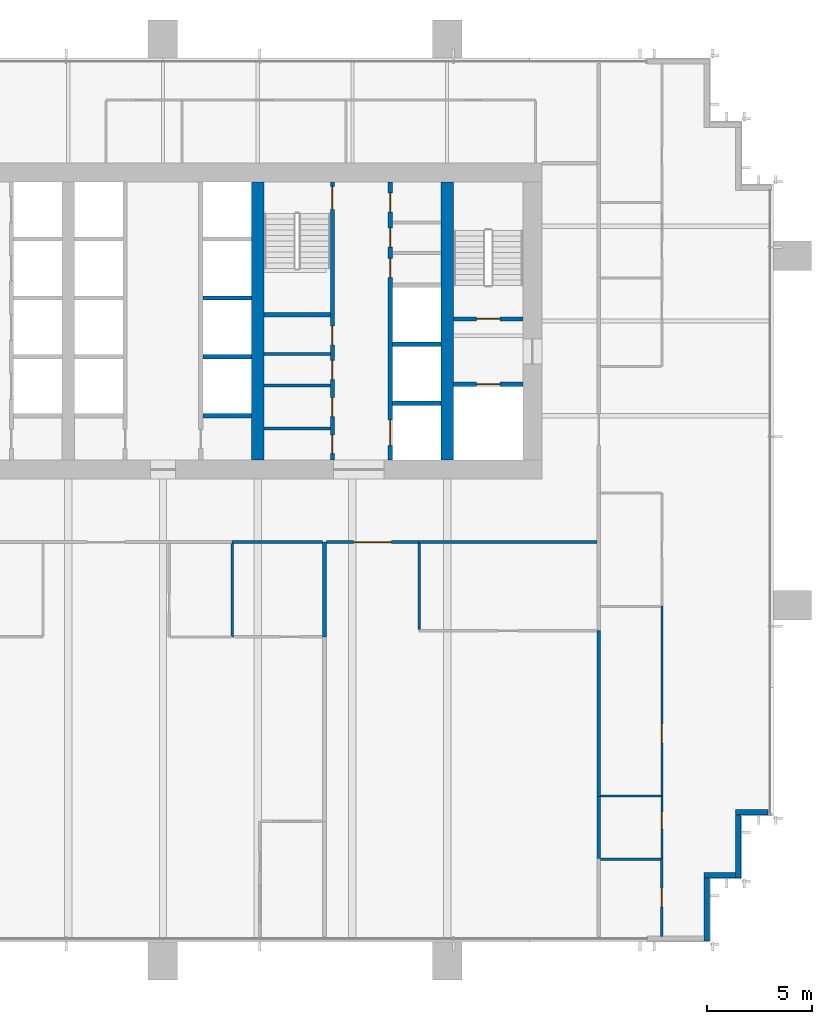
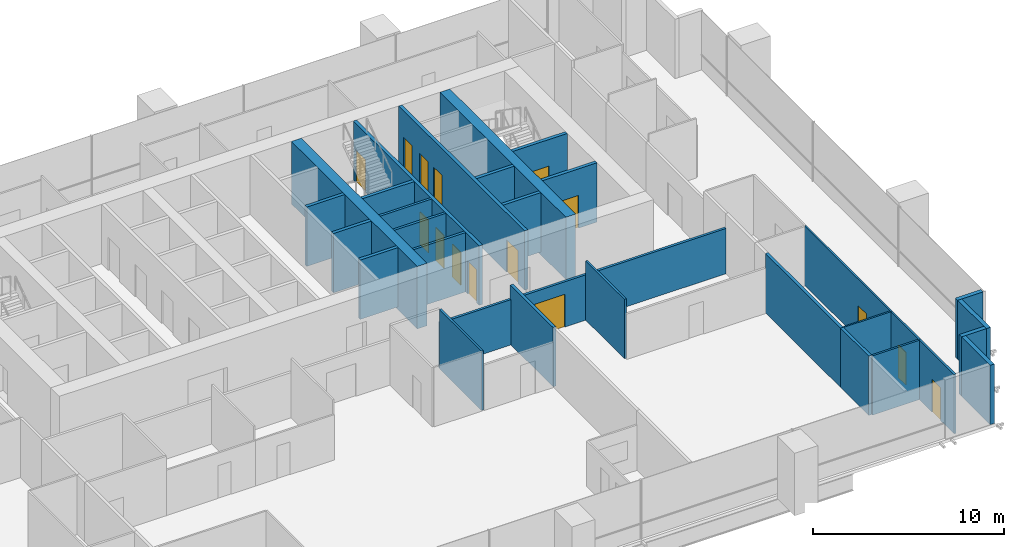
# One storey, part 12 of 16: 32 walls, 15 doors, 15 openings.
"""IFC4 building model written with IfcOpenShell, lengths in metres."""

from ifc_helpers import new_model, si_unit, direction, frame, frame_2d, origin, place, context, subcontext, project, spatial, rectangle, extrude, material, layer, layer_set, type_object, element, fill, save


model = new_model("IFC4")

# Units and contexts
model_context = context("Model", 3, precision=1e-05, world=origin(), true_north=direction((0.0, 1.0)))
body_context = subcontext(model_context, "Body", "Model", "MODEL_VIEW")
ifc_project = project(units=[si_unit("LENGTHUNIT", "METRE"), si_unit("AREAUNIT", "SQUARE_METRE"), si_unit("VOLUMEUNIT", "CUBIC_METRE"), si_unit("PLANEANGLEUNIT", "RADIAN"), si_unit("MASSUNIT", "GRAM", prefix="KILO")], contexts=[model_context])

# Site, building, storey
site_placement = place(None, origin())
site = spatial("IfcSite", under=ifc_project, at=site_placement, CompositionType="ELEMENT")
building_placement = place(site_placement, origin())
building = spatial("IfcBuilding", under=site, at=building_placement, Name="Rattan Terrace Tower", CompositionType="ELEMENT")
storey_placement = place(building_placement, frame((0.0, 0.0, 130.10009765625)))
storey = spatial("IfcBuildingStorey", under=building, at=storey_placement, Name="L29", CompositionType="ELEMENT", Elevation=130.10009765625)

# Walls
ifc_material_1 = material(Name="Gypsum board partition")
ifc_layer_1 = layer(ifc_material_1, 0.14990234375)
ifc_layer_set_1 = layer_set([ifc_layer_1], Name="Core partition 150")
wall_type_1 = type_object("IfcWallType", Name="Core partition 150", PredefinedType="PARTITIONING", material=ifc_layer_set_1)
for number, where, z_axis, x_axis, name in (
    (1, (4.800048828125, -5.10400390625, 0.0), (0.0, 0.0, 1.0), (1.0, 0.0, 0.0), "Toilet wall"),
    (2, (4.800048828125, -3.06396484375, 0.0), (0.0, 0.0, 1.0), (1.0, 0.0, 0.0), "Toilet wall"),
    (3, (4.800048828125, -1.568115234375, 0.0), (0.0, 0.0, 1.0), (1.0, 0.0, 0.0), "Toilet wall"),
):
    element("IfcWall", number, at=place(storey_placement, frame(where, z_axis=z_axis, x_axis=x_axis)), inside=storey, type_object=wall_type_1, Name=name, PredefinedType="PARTITIONING", context=body_context, shape_type="SweptSolid", body=[
        extrude(rectangle(XDim=3.14990234375, YDim=0.14990234375, at=frame_2d((1.574951171875, 0.0))), origin(), (0.0, 0.0, 1.0), 3.7998046875),
    ])

# Wall, opening, door
ifc_material_2 = material(Name="Gypsum board partition")
ifc_layer_2 = layer(ifc_material_2, 0.199951171875)
ifc_layer_set_2 = layer_set([ifc_layer_2], Name="Core partition 200")
wall_type_2 = type_object("IfcWallType", Name="Core partition 200", PredefinedType="PARTITIONING", material=ifc_layer_set_2)
wall_1_placement = place(storey_placement, frame((13.800048828125, -3.0, 0.0), z_axis=(0.0, 0.0, 1.0), x_axis=(1.0, 0.0, 0.0)))
wall_1 = element("IfcWall", 4, at=wall_1_placement, inside=storey, type_object=wall_type_2, Name="Fire-fighting lobby wall", PredefinedType="PARTITIONING", context=body_context, shape_type="SweptSolid", body=[
    extrude(rectangle(XDim=3.300048828125, YDim=0.199951171875, at=frame_2d((1.64990234375, 0.0))), origin(), (0.0, 0.0, 1.0), 3.7998046875),
])
opening_1_placement = place(wall_1_placement, frame((1.10009765625, 0.0, 0.0)))
opening_1 = element("IfcOpeningElement", 5, at=opening_1_placement, cuts=wall_1, Name="Opening L29-LD-FF2", PredefinedType="OPENING", context=body_context, shape_type="SweptSolid", body=[
    extrude(rectangle(XDim=1.10009765625, YDim=2.10009765625, at=frame_2d((0.550048828125, 1.050048828125))), frame((0.0, 0.110595703125, 0.0), z_axis=(0.0, -1.0, 0.0), x_axis=(1.0, 0.0, 0.0)), (0.0, 0.0, 1.0), 0.220947265625),
])
ifc_material_3 = material(Name="Brushed stainless landing door panel")
door_type_1 = type_object("IfcDoorType", Name="Core lift landing door 1100", OperationType="DOUBLE_DOOR_SLIDING", PredefinedType="DOOR", material=ifc_material_3)
door_1_placement = place(opening_1_placement, origin())
door_1 = element("IfcDoor", 6, at=door_1_placement, inside=storey, type_object=door_type_1, Name="Door L29-LD-FF2", OperationType="DOUBLE_DOOR_SLIDING", OverallHeight=2.10009765625, OverallWidth=1.10009765625, PredefinedType="DOOR", context=body_context, shape_type="SweptSolid", body=[
    extrude(rectangle(XDim=1.10009765625, YDim=2.10009765625, at=frame_2d((0.550048828125, 1.050048828125))), frame((0.0, 0.02490234375, 0.0), z_axis=(0.0, -1.0, 0.0), x_axis=(1.0, 0.0, 0.0)), (0.0, 0.0, 1.0), 0.050048828125),
])
fill(opening_1, door_1)

wall_2_placement = place(storey_placement, frame((13.800048828125, 0.10009765625, 0.0), z_axis=(0.0, 0.0, 1.0), x_axis=(1.0, 0.0, 0.0)))
wall_2 = element("IfcWall", 7, at=wall_2_placement, inside=storey, type_object=wall_type_2, Name="Stair enclosure wall", PredefinedType="PARTITIONING", context=body_context, shape_type="SweptSolid", body=[
    extrude(rectangle(XDim=3.300048828125, YDim=0.199951171875, at=frame_2d((1.64990234375, 0.0))), origin(), (0.0, 0.0, 1.0), 3.7998046875),
])
opening_2_placement = place(wall_2_placement, frame((1.10009765625, 0.0, 0.0)))
opening_2 = element("IfcOpeningElement", 8, at=opening_2_placement, cuts=wall_2, Name="Opening L29-D004", PredefinedType="OPENING", context=body_context, shape_type="SweptSolid", body=[
    extrude(rectangle(XDim=1.10009765625, YDim=2.10009765625, at=frame_2d((0.550048828125, 1.050048828125))), frame((0.0, 0.110595703125, 0.0), z_axis=(0.0, -1.0, 0.0), x_axis=(1.0, 0.0, 0.0)), (0.0, 0.0, 1.0), 0.220947265625),
])
ifc_material_4 = material(Name="Hollow-metal fire door leaf")
door_type_2 = type_object("IfcDoorType", Name="Core stair door 1100", OperationType="NOTDEFINED", PredefinedType="DOOR", material=ifc_material_4)
door_2_placement = place(opening_2_placement, origin())
door_2 = element("IfcDoor", 9, at=door_2_placement, inside=storey, type_object=door_type_2, Name="Door L29-D004", OperationType="SINGLE_SWING_LEFT", OverallHeight=2.10009765625, OverallWidth=1.10009765625, PredefinedType="DOOR", context=body_context, shape_type="SweptSolid", body=[
    extrude(rectangle(XDim=1.10009765625, YDim=2.10009765625, at=frame_2d((0.550048828125, 1.050048828125))), frame((0.0, 0.02490234375, 0.0), z_axis=(0.0, -1.0, 0.0), x_axis=(1.0, 0.0, 0.0)), (0.0, 0.0, 1.0), 0.050048828125),
])
fill(opening_2, door_2)

# Wall, openings, doors
wall_3_placement = place(storey_placement, frame((8.050048828125, -6.60009765625, 0.0), z_axis=(0.0, 0.0, 1.0), x_axis=(0.0, 1.0, 0.0)))
wall_3 = element("IfcWall", 10, at=wall_3_placement, inside=storey, type_object=wall_type_2, Name="Lobby wall west", PredefinedType="PARTITIONING", context=body_context, shape_type="SweptSolid", body=[
    extrude(rectangle(XDim=13.2001953125, YDim=0.199951171875, at=frame_2d((6.60009765625, 0.0))), origin(), (0.0, 0.0, 1.0), 3.7998046875),
])
opening_3_placement = place(wall_3_placement, frame((0.298095703125, 0.0, 0.0)))
opening_3 = element("IfcOpeningElement", 11, at=opening_3_placement, cuts=wall_3, Name="Opening L29-D011", PredefinedType="OPENING", context=body_context, shape_type="SweptSolid", body=[
    extrude(rectangle(XDim=0.89990234375, YDim=2.10009765625, at=frame_2d((0.449951171875, 1.050048828125))), frame((0.0, 0.110595703125, 0.0), z_axis=(0.0, -1.0, 0.0), x_axis=(1.0, 0.0, 0.0)), (0.0, 0.0, 1.0), 0.220947265625),
])
opening_4_placement = place(wall_3_placement, frame((2.06591796875, 0.0, 0.0)))
opening_4 = element("IfcOpeningElement", 12, at=opening_4_placement, cuts=wall_3, Name="Opening L29-D012", PredefinedType="OPENING", context=body_context, shape_type="SweptSolid", body=[
    extrude(rectangle(XDim=0.89990234375, YDim=2.10009765625, at=frame_2d((0.449951171875, 1.050048828125))), frame((0.0, 0.110595703125, 0.0), z_axis=(0.0, -1.0, 0.0), x_axis=(1.0, 0.0, 0.0)), (0.0, 0.0, 1.0), 0.220947265625),
])
opening_5_placement = place(wall_3_placement, frame((3.833984375, 0.0, 0.0)))
opening_5 = element("IfcOpeningElement", 13, at=opening_5_placement, cuts=wall_3, Name="Opening L29-D013", PredefinedType="OPENING", context=body_context, shape_type="SweptSolid", body=[
    extrude(rectangle(XDim=0.89990234375, YDim=2.10009765625, at=frame_2d((0.449951171875, 1.050048828125))), frame((0.0, 0.110595703125, 0.0), z_axis=(0.0, -1.0, 0.0), x_axis=(1.0, 0.0, 0.0)), (0.0, 0.0, 1.0), 0.220947265625),
])
opening_6_placement = place(wall_3_placement, frame((5.466064453125, 0.0, 0.0)))
opening_6 = element("IfcOpeningElement", 14, at=opening_6_placement, cuts=wall_3, Name="Opening L29-D014", PredefinedType="OPENING", context=body_context, shape_type="SweptSolid", body=[
    extrude(rectangle(XDim=0.89990234375, YDim=2.10009765625, at=frame_2d((0.449951171875, 1.050048828125))), frame((0.0, 0.110595703125, 0.0), z_axis=(0.0, -1.0, 0.0), x_axis=(1.0, 0.0, 0.0)), (0.0, 0.0, 1.0), 0.220947265625),
])
opening_7_placement = place(wall_3_placement, frame((11.89990234375, 0.0, 0.0)))
opening_7 = element("IfcOpeningElement", 15, at=opening_7_placement, cuts=wall_3, Name="Opening L29-D015", PredefinedType="OPENING", context=body_context, shape_type="SweptSolid", body=[
    extrude(rectangle(XDim=1.10009765625, YDim=2.10009765625, at=frame_2d((0.550048828125, 1.050048828125))), frame((0.0, 0.110595703125, 0.0), z_axis=(0.0, -1.0, 0.0), x_axis=(1.0, 0.0, 0.0)), (0.0, 0.0, 1.0), 0.220947265625),
])
ifc_material_5 = material(Name="Hollow-metal fire door leaf")
door_type_3 = type_object("IfcDoorType", Name="Core service room door 900", OperationType="NOTDEFINED", PredefinedType="DOOR", material=ifc_material_5)
door_3_placement = place(opening_6_placement, origin())
door_3 = element("IfcDoor", 16, at=door_3_placement, inside=storey, type_object=door_type_3, Name="Door L29-D014", OperationType="SINGLE_SWING_RIGHT", OverallHeight=2.10009765625, OverallWidth=0.89990234375, PredefinedType="DOOR", context=body_context, shape_type="SweptSolid", body=[
    extrude(rectangle(XDim=0.89990234375, YDim=2.10009765625, at=frame_2d((0.449951171875, 1.050048828125))), frame((0.0, 0.02490234375, 0.0), z_axis=(0.0, -1.0, 0.0), x_axis=(1.0, 0.0, 0.0)), (0.0, 0.0, 1.0), 0.050048828125),
])
fill(opening_6, door_3)
door_4_placement = place(opening_7_placement, origin())
door_4 = element("IfcDoor", 17, at=door_4_placement, inside=storey, type_object=door_type_2, Name="Door L29-D015", OperationType="SINGLE_SWING_LEFT", OverallHeight=2.10009765625, OverallWidth=1.10009765625, PredefinedType="DOOR", context=body_context, shape_type="SweptSolid", body=[
    extrude(rectangle(XDim=1.10009765625, YDim=2.10009765625, at=frame_2d((0.550048828125, 1.050048828125))), frame((0.0, 0.02490234375, 0.0), z_axis=(0.0, -1.0, 0.0), x_axis=(1.0, 0.0, 0.0)), (0.0, 0.0, 1.0), 0.050048828125),
])
fill(opening_7, door_4)
ifc_material_6 = material(Name="Hollow-metal fire door leaf")
door_type_4 = type_object("IfcDoorType", Name="Core toilet door 900", OperationType="NOTDEFINED", PredefinedType="DOOR", material=ifc_material_6)
door_5_placement = place(opening_3_placement, origin())
door_5 = element("IfcDoor", 18, at=door_5_placement, inside=storey, type_object=door_type_4, Name="Door L29-D011", OperationType="SINGLE_SWING_LEFT", OverallHeight=2.10009765625, OverallWidth=0.89990234375, PredefinedType="DOOR", context=body_context, shape_type="SweptSolid", body=[
    extrude(rectangle(XDim=0.89990234375, YDim=2.10009765625, at=frame_2d((0.449951171875, 1.050048828125))), frame((0.0, 0.02490234375, 0.0), z_axis=(0.0, -1.0, 0.0), x_axis=(1.0, 0.0, 0.0)), (0.0, 0.0, 1.0), 0.050048828125),
])
fill(opening_3, door_5)
door_6_placement = place(opening_4_placement, origin())
door_6 = element("IfcDoor", 19, at=door_6_placement, inside=storey, type_object=door_type_4, Name="Door L29-D012", OperationType="SINGLE_SWING_RIGHT", OverallHeight=2.10009765625, OverallWidth=0.89990234375, PredefinedType="DOOR", context=body_context, shape_type="SweptSolid", body=[
    extrude(rectangle(XDim=0.89990234375, YDim=2.10009765625, at=frame_2d((0.449951171875, 1.050048828125))), frame((0.0, 0.02490234375, 0.0), z_axis=(0.0, -1.0, 0.0), x_axis=(1.0, 0.0, 0.0)), (0.0, 0.0, 1.0), 0.050048828125),
])
fill(opening_4, door_6)
door_7_placement = place(opening_5_placement, origin())
door_7 = element("IfcDoor", 20, at=door_7_placement, inside=storey, type_object=door_type_4, Name="Door L29-D013", OperationType="SINGLE_SWING_LEFT", OverallHeight=2.10009765625, OverallWidth=0.89990234375, PredefinedType="DOOR", context=body_context, shape_type="SweptSolid", body=[
    extrude(rectangle(XDim=0.89990234375, YDim=2.10009765625, at=frame_2d((0.449951171875, 1.050048828125))), frame((0.0, 0.02490234375, 0.0), z_axis=(0.0, -1.0, 0.0), x_axis=(1.0, 0.0, 0.0)), (0.0, 0.0, 1.0), 0.050048828125),
])
fill(opening_5, door_7)

# Walls
wall_4_placement = place(storey_placement, frame((4.800048828125, 0.300048828125, 0.0), z_axis=(0.0, 0.0, 1.0), x_axis=(1.0, 0.0, 0.0)))
element("IfcWall", 21, at=wall_4_placement, inside=storey, type_object=wall_type_2, Name="Stair enclosure wall", PredefinedType="PARTITIONING", context=body_context, shape_type="SweptSolid", body=[
    extrude(rectangle(XDim=3.14990234375, YDim=0.199951171875, at=frame_2d((1.574951171875, 0.0))), origin(), (0.0, 0.0, 1.0), 3.7998046875),
])
ifc_material_7 = material(Name="Concrete C60/75", Category="concrete")
ifc_layer_3 = layer(ifc_material_7, 0.60009765625)
ifc_layer_set_3 = layer_set([ifc_layer_3], Name="Core spine wall 600 C60/75")
wall_type_3 = type_object("IfcWallType", Name="Core spine wall 600 C60/75", PredefinedType="SHEAR", material=ifc_layer_set_3)
for number, where, z_axis, x_axis, name in (
    (22, (4.5, -6.60009765625, -0.2001953125), (0.0, 0.0, 1.0), (0.0, 1.0, 0.0), "Core spine wall 3"),
    (23, (13.5, -6.60009765625, -0.2001953125), (0.0, 0.0, 1.0), (0.0, 1.0, 0.0), "Core spine wall 4"),
):
    element("IfcWall", number, at=place(storey_placement, frame(where, z_axis=z_axis, x_axis=x_axis)), inside=storey, type_object=wall_type_3, Name=name, PredefinedType="SHEAR", context=body_context, shape_type="SweptSolid", body=[
        extrude(rectangle(XDim=13.2001953125, YDim=0.60009765625, at=frame_2d((6.60009765625, 0.0))), origin(), (0.0, 0.0, 1.0), 4.0),
    ])
ifc_material_8 = material(Name="Insulated aluminium-clad stud wall", Category="aluminium")
ifc_layer_4 = layer(ifc_material_8, 0.25)
ifc_layer_set_4 = layer_set([ifc_layer_4], Name="Facade Riser Wall 250")
wall_type_4 = type_object("IfcWallType", Name="Facade Riser Wall 250", PredefinedType="SOLIDWALL", material=ifc_layer_set_4)
wall_5_placement = place(storey_placement, frame((25.830078125, -29.455078125, 0.0), z_axis=(0.0, 0.0, 1.0), x_axis=(0.0, 1.0, 0.0)))
element("IfcWall", 24, at=wall_5_placement, inside=storey, type_object=wall_type_4, Name="Riser wall L29-2", PredefinedType="SOLIDWALL", context=body_context, shape_type="SweptSolid", body=[
    extrude(rectangle(XDim=3.0, YDim=0.25, at=frame_2d((1.5, 0.0))), origin(), (0.0, 0.0, 1.0), 3.7998046875),
])
wall_6_placement = place(storey_placement, frame((25.705078125, -26.330078125, 0.0), z_axis=(0.0, 0.0, 1.0), x_axis=(1.0, 0.0, 0.0)))
element("IfcWall", 25, at=wall_6_placement, inside=storey, type_object=wall_type_4, Name="Riser wall L29-3", PredefinedType="SOLIDWALL", context=body_context, shape_type="SweptSolid", body=[
    extrude(rectangle(XDim=1.5, YDim=0.25, at=frame_2d((0.75, 0.0))), origin(), (0.0, 0.0, 1.0), 3.7998046875),
])
wall_7_placement = place(storey_placement, frame((27.330078125, -26.455078125, 0.0), z_axis=(0.0, 0.0, 1.0), x_axis=(0.0, 1.0, 0.0)))
element("IfcWall", 26, at=wall_7_placement, inside=storey, type_object=wall_type_4, Name="Riser wall L29-4", PredefinedType="SOLIDWALL", context=body_context, shape_type="SweptSolid", body=[
    extrude(rectangle(XDim=3.0, YDim=0.25, at=frame_2d((1.5, 0.0))), origin(), (0.0, 0.0, 1.0), 3.7998046875),
])
wall_8_placement = place(storey_placement, frame((27.205078125, -23.330078125, 0.0), z_axis=(0.0, 0.0, 1.0), x_axis=(1.0, 0.0, 0.0)))
element("IfcWall", 27, at=wall_8_placement, inside=storey, type_object=wall_type_4, Name="Riser wall L29-5", PredefinedType="SOLIDWALL", context=body_context, shape_type="SweptSolid", body=[
    extrude(rectangle(XDim=1.544921875, YDim=0.25, at=frame_2d((0.7724609375, 0.0))), origin(), (0.0, 0.0, 1.0), 3.7998046875),
])
ifc_material_9 = material(Name="Double steel stud acoustic partition, gypsum board, mineral wool, fire rated", Category="steel")
ifc_layer_5 = layer(ifc_material_9, 0.179931640625)
ifc_layer_set_5 = layer_set([ifc_layer_5], Name="Floors Acoustic Party Wall 180")
wall_type_5 = type_object("IfcWallType", Name="Floors Acoustic Party Wall 180", PredefinedType="PARTITIONING", material=ifc_layer_set_5)
wall_9_placement = place(storey_placement, frame((7.6669921875, -10.5, 0.0), z_axis=(0.0, 0.0, 1.0), x_axis=(0.0, -1.0, 0.0)))
element("IfcWall", 28, at=wall_9_placement, inside=storey, type_object=wall_type_5, Name="pt-L29-054", PredefinedType="PARTITIONING", context=body_context, shape_type="SweptSolid", body=[
    extrude(rectangle(XDim=4.5, YDim=0.179931640625, at=frame_2d((2.25, 0.0))), origin(), (0.0, 0.0, 1.0), 3.7998046875),
])
wall_10_placement = place(storey_placement, frame((20.699951171875, -22.580078125, 0.0), z_axis=(0.0, 0.0, 1.0), x_axis=(0.0, -1.0, 0.0)))
element("IfcWall", 29, at=wall_10_placement, inside=storey, type_object=wall_type_5, Name="pt-L29-058", PredefinedType="PARTITIONING", context=body_context, shape_type="SweptSolid", body=[
    extrude(rectangle(XDim=2.9599609375, YDim=0.179931640625, at=frame_2d((1.47998046875, 0.0))), origin(), (0.0, 0.0, 1.0), 3.7998046875),
])
wall_11_placement = place(storey_placement, frame((20.699951171875, -14.699951171875, 0.0), z_axis=(0.0, 0.0, 1.0), x_axis=(0.0, -1.0, 0.0)))
element("IfcWall", 30, at=wall_11_placement, inside=storey, type_object=wall_type_5, Name="pt-L29-059", PredefinedType="PARTITIONING", context=body_context, shape_type="SweptSolid", body=[
    extrude(rectangle(XDim=7.880126953125, YDim=0.179931640625, at=frame_2d((3.93994140625, 0.0))), origin(), (0.0, 0.0, 1.0), 3.7998046875),
])

# Wall, opening, door
ifc_material_10 = material(Name="Gypsum board partition on steel studs", Category="steel")
ifc_layer_6 = layer(ifc_material_10, 0.10009765625)
ifc_layer_set_6 = layer_set([ifc_layer_6], Name="Floors Partition 100")
wall_type_6 = type_object("IfcWallType", Name="Floors Partition 100", PredefinedType="PARTITIONING", material=ifc_layer_set_6)
wall_12_placement = place(storey_placement, frame((23.699951171875, -25.5400390625, 0.0), z_axis=(0.0, 0.0, 1.0), x_axis=(0.0, 1.0, 0.0)))
wall_12 = element("IfcWall", 31, at=wall_12_placement, inside=storey, type_object=wall_type_6, Name="pt-L29-063", PredefinedType="PARTITIONING", context=body_context, shape_type="SweptSolid", body=[
    extrude(rectangle(XDim=2.9599609375, YDim=0.10009765625, at=frame_2d((1.47998046875, 0.0))), origin(), (0.0, 0.0, 1.0), 3.7998046875),
])
opening_8_placement = place(wall_12_placement, frame((1.412109375, 0.0, 0.0)))
opening_8 = element("IfcOpeningElement", 32, at=opening_8_placement, cuts=wall_12, Name="Opening L29-D118", PredefinedType="OPENING", context=body_context, shape_type="SweptSolid", body=[
    extrude(rectangle(XDim=0.800048828125, YDim=2.10009765625, at=frame_2d((0.39990234375, 1.050048828125))), frame((0.0, 0.060546875, 0.0), z_axis=(0.0, -1.0, 0.0), x_axis=(1.0, 0.0, 0.0)), (0.0, 0.0, 1.0), 0.12109375),
])
ifc_material_11 = material(Name="Solid core timber door, painted", Category="wood")
door_type_5 = type_object("IfcDoorType", Name="Floors Store Door 800x2100", OperationType="NOTDEFINED", PredefinedType="DOOR", material=ifc_material_11)
door_8_placement = place(opening_8_placement, origin())
door_8 = element("IfcDoor", 33, at=door_8_placement, inside=storey, type_object=door_type_5, Name="d-L29-118", OperationType="SINGLE_SWING_RIGHT", OverallHeight=2.10009765625, OverallWidth=0.800048828125, PredefinedType="DOOR", context=body_context, shape_type="SweptSolid", body=[
    extrude(rectangle(XDim=0.800048828125, YDim=2.10009765625, at=frame_2d((0.39990234375, 1.050048828125))), frame((0.0, 0.02490234375, 0.0), z_axis=(0.0, -1.0, 0.0), x_axis=(1.0, 0.0, 0.0)), (0.0, 0.0, 1.0), 0.050048828125),
])
fill(opening_8, door_8)

wall_13_placement = place(storey_placement, frame((23.699951171875, -22.580078125, 0.0), z_axis=(0.0, 0.0, 1.0), x_axis=(0.0, 1.0, 0.0)))
wall_13 = element("IfcWall", 34, at=wall_13_placement, inside=storey, type_object=wall_type_6, Name="pt-L29-064", PredefinedType="PARTITIONING", context=body_context, shape_type="SweptSolid", body=[
    extrude(rectangle(XDim=9.0400390625, YDim=0.10009765625, at=frame_2d((4.52001953125, 0.0))), origin(), (0.0, 0.0, 1.0), 3.7998046875),
])
opening_9_placement = place(wall_13_placement, frame((2.5419921875, 0.0, 0.0)))
opening_9 = element("IfcOpeningElement", 35, at=opening_9_placement, cuts=wall_13, Name="Opening L29-D119", PredefinedType="OPENING", context=body_context, shape_type="SweptSolid", body=[
    extrude(rectangle(XDim=0.89990234375, YDim=2.10009765625, at=frame_2d((0.449951171875, 1.050048828125))), frame((0.0, 0.060546875, 0.0), z_axis=(0.0, -1.0, 0.0), x_axis=(1.0, 0.0, 0.0)), (0.0, 0.0, 1.0), 0.12109375),
])
ifc_material_12 = material(Name="Solid core timber door, painted", Category="wood")
door_type_6 = type_object("IfcDoorType", Name="Floors Door 900x2100", OperationType="NOTDEFINED", PredefinedType="DOOR", material=ifc_material_12)
door_9_placement = place(opening_9_placement, origin())
door_9 = element("IfcDoor", 36, at=door_9_placement, inside=storey, type_object=door_type_6, Name="d-L29-119", OperationType="SINGLE_SWING_LEFT", OverallHeight=2.10009765625, OverallWidth=0.89990234375, PredefinedType="DOOR", context=body_context, shape_type="SweptSolid", body=[
    extrude(rectangle(XDim=0.89990234375, YDim=2.10009765625, at=frame_2d((0.449951171875, 1.050048828125))), frame((0.0, 0.02490234375, 0.0), z_axis=(0.0, -1.0, 0.0), x_axis=(1.0, 0.0, 0.0)), (0.0, 0.0, 1.0), 0.050048828125),
])
fill(opening_9, door_9)

# Walls
wall_14_placement = place(storey_placement, frame((20.7900390625, -22.56005859375, 0.0), z_axis=(0.0, 0.0, 1.0), x_axis=(1.0, 0.0, 0.0)))
element("IfcWall", 37, at=wall_14_placement, inside=storey, type_object=wall_type_6, Name="pt-L29-072", PredefinedType="PARTITIONING", context=body_context, shape_type="SweptSolid", body=[
    extrude(rectangle(XDim=2.85986328125, YDim=0.10009765625, at=frame_2d((1.429931640625, 0.0))), origin(), (0.0, 0.0, 1.0), 3.7998046875),
])
ifc_material_13 = material(Name="Gypsum board partition on steel studs, fire rated", Category="steel")
ifc_layer_7 = layer(ifc_material_13, 0.14990234375)
ifc_layer_set_7 = layer_set([ifc_layer_7], Name="Floors Tenancy Wall 150")
wall_type_7 = type_object("IfcWallType", Name="Floors Tenancy Wall 150", PredefinedType="PARTITIONING", material=ifc_layer_set_7)
wall_15_placement = place(storey_placement, frame((7.576904296875, -10.5, 0.0), z_axis=(0.0, 0.0, 1.0), x_axis=(-1.0, 0.0, 0.0)))
element("IfcWall", 38, at=wall_15_placement, inside=storey, type_object=wall_type_7, Name="pt-L29-010", PredefinedType="PARTITIONING", context=body_context, shape_type="SweptSolid", body=[
    extrude(rectangle(XDim=4.296875, YDim=0.14990234375, at=frame_2d((2.1484375, 0.0))), origin(), (0.0, 0.0, 1.0), 2.89990234375),
])

# Wall, opening, door
wall_16_placement = place(storey_placement, frame((12.14697265625, -10.5, 0.0), z_axis=(0.0, 0.0, 1.0), x_axis=(-1.0, 0.0, 0.0)))
wall_16 = element("IfcWall", 39, at=wall_16_placement, inside=storey, type_object=wall_type_7, Name="pt-L29-011", PredefinedType="PARTITIONING", context=body_context, shape_type="SweptSolid", body=[
    extrude(rectangle(XDim=4.389892578125, YDim=0.14990234375, at=frame_2d((2.19482421875, 0.0))), origin(), (0.0, 0.0, 1.0), 2.89990234375),
])
opening_10_placement = place(wall_16_placement, frame((1.294921875, 0.0, 0.0)))
opening_10 = element("IfcOpeningElement", 40, at=opening_10_placement, cuts=wall_16, Name="Opening L29-D114", PredefinedType="OPENING", context=body_context, shape_type="SweptSolid", body=[
    extrude(rectangle(XDim=1.800048828125, YDim=2.10009765625, at=frame_2d((0.89990234375, 1.050048828125))), frame((0.0, 0.08544921875, 0.0), z_axis=(0.0, -1.0, 0.0), x_axis=(1.0, 0.0, 0.0)), (0.0, 0.0, 1.0), 0.1708984375),
])
ifc_material_14 = material(Name="Steel fire door set", Category="steel")
door_type_7 = type_object("IfcDoorType", Name="Floors Fire Door Pair FD30S 1800x2100", OperationType="NOTDEFINED", PredefinedType="DOOR", material=ifc_material_14)
door_10_placement = place(opening_10_placement, origin())
door_10 = element("IfcDoor", 41, at=door_10_placement, inside=storey, type_object=door_type_7, Name="d-L29-114", OperationType="DOUBLE_DOOR_SINGLE_SWING", OverallHeight=2.10009765625, OverallWidth=1.800048828125, PredefinedType="DOOR", context=body_context, shape_type="SweptSolid", body=[
    extrude(rectangle(XDim=1.800048828125, YDim=2.10009765625, at=frame_2d((0.89990234375, 1.050048828125))), frame((0.0, 0.02490234375, 0.0), z_axis=(0.0, -1.0, 0.0), x_axis=(1.0, 0.0, 0.0)), (0.0, 0.0, 1.0), 0.050048828125),
])
fill(opening_10, door_10)

# Walls
wall_17_placement = place(storey_placement, frame((20.610107421875, -10.5, 0.0), z_axis=(0.0, 0.0, 1.0), x_axis=(-1.0, 0.0, 0.0)))
element("IfcWall", 42, at=wall_17_placement, inside=storey, type_object=wall_type_7, Name="pt-L29-012", PredefinedType="PARTITIONING", context=body_context, shape_type="SweptSolid", body=[
    extrude(rectangle(XDim=8.463134765625, YDim=0.14990234375, at=frame_2d((4.2314453125, 0.0))), origin(), (0.0, 0.0, 1.0), 2.89990234375),
])
ifc_material_15 = material(Name="Moisture resistant gypsum board partition on steel studs with service cavity", Category="steel")
ifc_layer_8 = layer(ifc_material_15, 0.1201171875)
ifc_layer_set_8 = layer_set([ifc_layer_8], Name="Floors Wet Wall 120")
wall_type_8 = type_object("IfcWallType", Name="Floors Wet Wall 120", PredefinedType="PARTITIONING", material=ifc_layer_set_8)
wall_18_placement = place(storey_placement, frame((3.300048828125, -10.574951171875, 0.0), z_axis=(0.0, 0.0, 1.0), x_axis=(0.0, -1.0, 0.0)))
element("IfcWall", 43, at=wall_18_placement, inside=storey, type_object=wall_type_8, Name="pt-L29-053", PredefinedType="PARTITIONING", context=body_context, shape_type="SweptSolid", body=[
    extrude(rectangle(XDim=4.425048828125, YDim=0.1201171875, at=frame_2d((2.21240234375, 0.0))), origin(), (0.0, 0.0, 1.0), 3.7998046875),
])
wall_19_placement = place(storey_placement, frame((12.1669921875, -10.574951171875, 0.0), z_axis=(0.0, 0.0, 1.0), x_axis=(0.0, -1.0, 0.0)))
element("IfcWall", 44, at=wall_19_placement, inside=storey, type_object=wall_type_8, Name="pt-L29-055", PredefinedType="PARTITIONING", context=body_context, shape_type="SweptSolid", body=[
    extrude(rectangle(XDim=4.06494140625, YDim=0.1201171875, at=frame_2d((2.032470703125, 0.0))), origin(), (0.0, 0.0, 1.0), 3.7998046875),
])

# Wall, opening, door
wall_20_placement = place(storey_placement, frame((23.699951171875, -29.239990234375, 0.0), z_axis=(0.0, 0.0, 1.0), x_axis=(0.0, 1.0, 0.0)))
wall_20 = element("IfcWall", 45, at=wall_20_placement, inside=storey, type_object=wall_type_8, Name="pt-L29-062", PredefinedType="PARTITIONING", context=body_context, shape_type="SweptSolid", body=[
    extrude(rectangle(XDim=3.699951171875, YDim=0.1201171875, at=frame_2d((1.85009765625, 0.0))), origin(), (0.0, 0.0, 1.0), 3.7998046875),
])
opening_11_placement = place(wall_20_placement, frame((1.39990234375, 0.0, 0.0)))
opening_11 = element("IfcOpeningElement", 46, at=opening_11_placement, cuts=wall_20, Name="Opening L29-D117", PredefinedType="OPENING", context=body_context, shape_type="SweptSolid", body=[
    extrude(rectangle(XDim=0.89990234375, YDim=2.10009765625, at=frame_2d((0.449951171875, 1.050048828125))), frame((0.0, 0.070556640625, 0.0), z_axis=(0.0, -1.0, 0.0), x_axis=(1.0, 0.0, 0.0)), (0.0, 0.0, 1.0), 0.14111328125),
])
door_11_placement = place(opening_11_placement, origin())
door_11 = element("IfcDoor", 47, at=door_11_placement, inside=storey, type_object=door_type_6, Name="d-L29-117", OperationType="SINGLE_SWING_RIGHT", OverallHeight=2.10009765625, OverallWidth=0.89990234375, PredefinedType="DOOR", context=body_context, shape_type="SweptSolid", body=[
    extrude(rectangle(XDim=0.89990234375, YDim=2.10009765625, at=frame_2d((0.449951171875, 1.050048828125))), frame((0.0, 0.02490234375, 0.0), z_axis=(0.0, -1.0, 0.0), x_axis=(1.0, 0.0, 0.0)), (0.0, 0.0, 1.0), 0.050048828125),
])
fill(opening_11, door_11)

# Walls
wall_21_placement = place(storey_placement, frame((20.7900390625, -25.56005859375, 0.0), z_axis=(0.0, 0.0, 1.0), x_axis=(1.0, 0.0, 0.0)))
element("IfcWall", 48, at=wall_21_placement, inside=storey, type_object=wall_type_8, Name="pt-L29-071", PredefinedType="PARTITIONING", context=body_context, shape_type="SweptSolid", body=[
    extrude(rectangle(XDim=2.849853515625, YDim=0.1201171875, at=frame_2d((1.4248046875, 0.0))), origin(), (0.0, 0.0, 1.0), 3.7998046875),
])
ifc_material_16 = material(Name="Gypsum shaft wall system")
ifc_layer_9 = layer(ifc_material_16, 0.199951171875)
ifc_layer_set_9 = layer_set([ifc_layer_9], Name="Lift shaft wall 200")
wall_type_9 = type_object("IfcWallType", Name="Lift shaft wall 200", PredefinedType="PARTITIONING", material=ifc_layer_set_9)
for number, where, z_axis, x_axis, name in (
    (49, (1.89990234375, -1.699951171875, 0.0), (0.0, 0.0, 1.0), (1.0, 0.0, 0.0), "Lift shaft wall"),
    (50, (1.89990234375, 1.10009765625, 0.0), (0.0, 0.0, 1.0), (1.0, 0.0, 0.0), "Lift shaft wall"),
    (51, (1.89990234375, -4.5, 0.0), (0.0, 0.0, 1.0), (1.0, 0.0, 0.0), "Lift shaft wall"),
):
    element("IfcWall", number, at=place(storey_placement, frame(where, z_axis=z_axis, x_axis=x_axis)), inside=storey, type_object=wall_type_9, Name=name, PredefinedType="PARTITIONING", context=body_context, shape_type="SweptSolid", body=[
        extrude(rectangle(XDim=2.300048828125, YDim=0.199951171875, at=frame_2d((1.14990234375, 0.0))), origin(), (0.0, 0.0, 1.0), 3.7998046875),
    ])

# Wall, openings, doors
wall_22_placement = place(storey_placement, frame((10.800048828125, -6.60009765625, 0.0), z_axis=(0.0, 0.0, 1.0), x_axis=(0.0, 1.0, 0.0)))
wall_22 = element("IfcWall", 52, at=wall_22_placement, inside=storey, type_object=wall_type_9, Name="Lift shaft front wall", PredefinedType="PARTITIONING", context=body_context, shape_type="SweptSolid", body=[
    extrude(rectangle(XDim=13.2001953125, YDim=0.199951171875, at=frame_2d((6.60009765625, 0.0))), origin(), (0.0, 0.0, 1.0), 3.7998046875),
])
opening_12_placement = place(wall_22_placement, frame((0.699951171875, 0.0, 0.0)))
opening_12 = element("IfcOpeningElement", 53, at=opening_12_placement, cuts=wall_22, Name="Opening L29-LD-SV1", PredefinedType="OPENING", context=body_context, shape_type="SweptSolid", body=[
    extrude(rectangle(XDim=1.199951171875, YDim=2.10009765625, at=frame_2d((0.60009765625, 1.050048828125))), frame((0.0, 0.110595703125, 0.0), z_axis=(0.0, -1.0, 0.0), x_axis=(1.0, 0.0, 0.0)), (0.0, 0.0, 1.0), 0.220947265625),
])
opening_13_placement = place(wall_22_placement, frame((8.669921875, 0.0, 0.0)))
opening_13 = element("IfcOpeningElement", 54, at=opening_13_placement, cuts=wall_22, Name="Opening L29-D017", PredefinedType="OPENING", context=body_context, shape_type="SweptSolid", body=[
    extrude(rectangle(XDim=0.89990234375, YDim=2.10009765625, at=frame_2d((0.449951171875, 1.050048828125))), frame((0.0, 0.110595703125, 0.0), z_axis=(0.0, -1.0, 0.0), x_axis=(1.0, 0.0, 0.0)), (0.0, 0.0, 1.0), 0.220947265625),
])
opening_14_placement = place(wall_22_placement, frame((10.110107421875, 0.0, 0.0)))
opening_14 = element("IfcOpeningElement", 55, at=opening_14_placement, cuts=wall_22, Name="Opening L29-D018", PredefinedType="OPENING", context=body_context, shape_type="SweptSolid", body=[
    extrude(rectangle(XDim=0.89990234375, YDim=2.10009765625, at=frame_2d((0.449951171875, 1.050048828125))), frame((0.0, 0.110595703125, 0.0), z_axis=(0.0, -1.0, 0.0), x_axis=(1.0, 0.0, 0.0)), (0.0, 0.0, 1.0), 0.220947265625),
])
opening_15_placement = place(wall_22_placement, frame((11.7900390625, 0.0, 0.0)))
opening_15 = element("IfcOpeningElement", 56, at=opening_15_placement, cuts=wall_22, Name="Opening L29-D019", PredefinedType="OPENING", context=body_context, shape_type="SweptSolid", body=[
    extrude(rectangle(XDim=0.89990234375, YDim=2.10009765625, at=frame_2d((0.449951171875, 1.050048828125))), frame((0.0, 0.110595703125, 0.0), z_axis=(0.0, -1.0, 0.0), x_axis=(1.0, 0.0, 0.0)), (0.0, 0.0, 1.0), 0.220947265625),
])
ifc_material_17 = material(Name="Brushed stainless landing door panel")
door_type_8 = type_object("IfcDoorType", Name="Core lift landing door 1200", OperationType="DOUBLE_DOOR_SLIDING", PredefinedType="DOOR", material=ifc_material_17)
door_12_placement = place(opening_12_placement, origin())
door_12 = element("IfcDoor", 57, at=door_12_placement, inside=storey, type_object=door_type_8, Name="Door L29-LD-SV1", OperationType="DOUBLE_DOOR_SLIDING", OverallHeight=2.10009765625, OverallWidth=1.199951171875, PredefinedType="DOOR", context=body_context, shape_type="SweptSolid", body=[
    extrude(rectangle(XDim=1.199951171875, YDim=2.10009765625, at=frame_2d((0.60009765625, 1.050048828125))), frame((0.0, 0.02490234375, 0.0), z_axis=(0.0, -1.0, 0.0), x_axis=(1.0, 0.0, 0.0)), (0.0, 0.0, 1.0), 0.050048828125),
])
fill(opening_12, door_12)
ifc_material_18 = material(Name="Hollow-metal fire door leaf")
door_type_9 = type_object("IfcDoorType", Name="Core riser door 900", OperationType="NOTDEFINED", PredefinedType="DOOR", material=ifc_material_18)
door_13_placement = place(opening_13_placement, origin())
door_13 = element("IfcDoor", 58, at=door_13_placement, inside=storey, type_object=door_type_9, Name="Door L29-D017", OperationType="SINGLE_SWING_RIGHT", OverallHeight=2.10009765625, OverallWidth=0.89990234375, PredefinedType="DOOR", context=body_context, shape_type="SweptSolid", body=[
    extrude(rectangle(XDim=0.89990234375, YDim=2.10009765625, at=frame_2d((0.449951171875, 1.050048828125))), frame((0.0, 0.02490234375, 0.0), z_axis=(0.0, -1.0, 0.0), x_axis=(1.0, 0.0, 0.0)), (0.0, 0.0, 1.0), 0.050048828125),
])
fill(opening_13, door_13)
door_14_placement = place(opening_14_placement, origin())
door_14 = element("IfcDoor", 59, at=door_14_placement, inside=storey, type_object=door_type_9, Name="Door L29-D018", OperationType="SINGLE_SWING_LEFT", OverallHeight=2.10009765625, OverallWidth=0.89990234375, PredefinedType="DOOR", context=body_context, shape_type="SweptSolid", body=[
    extrude(rectangle(XDim=0.89990234375, YDim=2.10009765625, at=frame_2d((0.449951171875, 1.050048828125))), frame((0.0, 0.02490234375, 0.0), z_axis=(0.0, -1.0, 0.0), x_axis=(1.0, 0.0, 0.0)), (0.0, 0.0, 1.0), 0.050048828125),
])
fill(opening_14, door_14)
door_15_placement = place(opening_15_placement, origin())
door_15 = element("IfcDoor", 60, at=door_15_placement, inside=storey, type_object=door_type_3, Name="Door L29-D019", OperationType="SINGLE_SWING_RIGHT", OverallHeight=2.10009765625, OverallWidth=0.89990234375, PredefinedType="DOOR", context=body_context, shape_type="SweptSolid", body=[
    extrude(rectangle(XDim=0.89990234375, YDim=2.10009765625, at=frame_2d((0.449951171875, 1.050048828125))), frame((0.0, 0.02490234375, 0.0), z_axis=(0.0, -1.0, 0.0), x_axis=(1.0, 0.0, 0.0)), (0.0, 0.0, 1.0), 0.050048828125),
])
fill(opening_15, door_15)

# Walls
for number, where, z_axis, x_axis, name in (
    (61, (10.89990234375, -3.89990234375, 0.0), (0.0, 0.0, 1.0), (1.0, 0.0, 0.0), "Lift shaft wall"),
    (62, (10.89990234375, -1.10009765625, 0.0), (0.0, 0.0, 1.0), (1.0, 0.0, 0.0), "Lift shaft wall"),
):
    element("IfcWall", number, at=place(storey_placement, frame(where, z_axis=z_axis, x_axis=x_axis)), inside=storey, type_object=wall_type_9, Name=name, PredefinedType="PARTITIONING", context=body_context, shape_type="SweptSolid", body=[
        extrude(rectangle(XDim=2.300048828125, YDim=0.199951171875, at=frame_2d((1.14990234375, 0.0))), origin(), (0.0, 0.0, 1.0), 3.7998046875),
    ])

save(model, "model.ifc")
